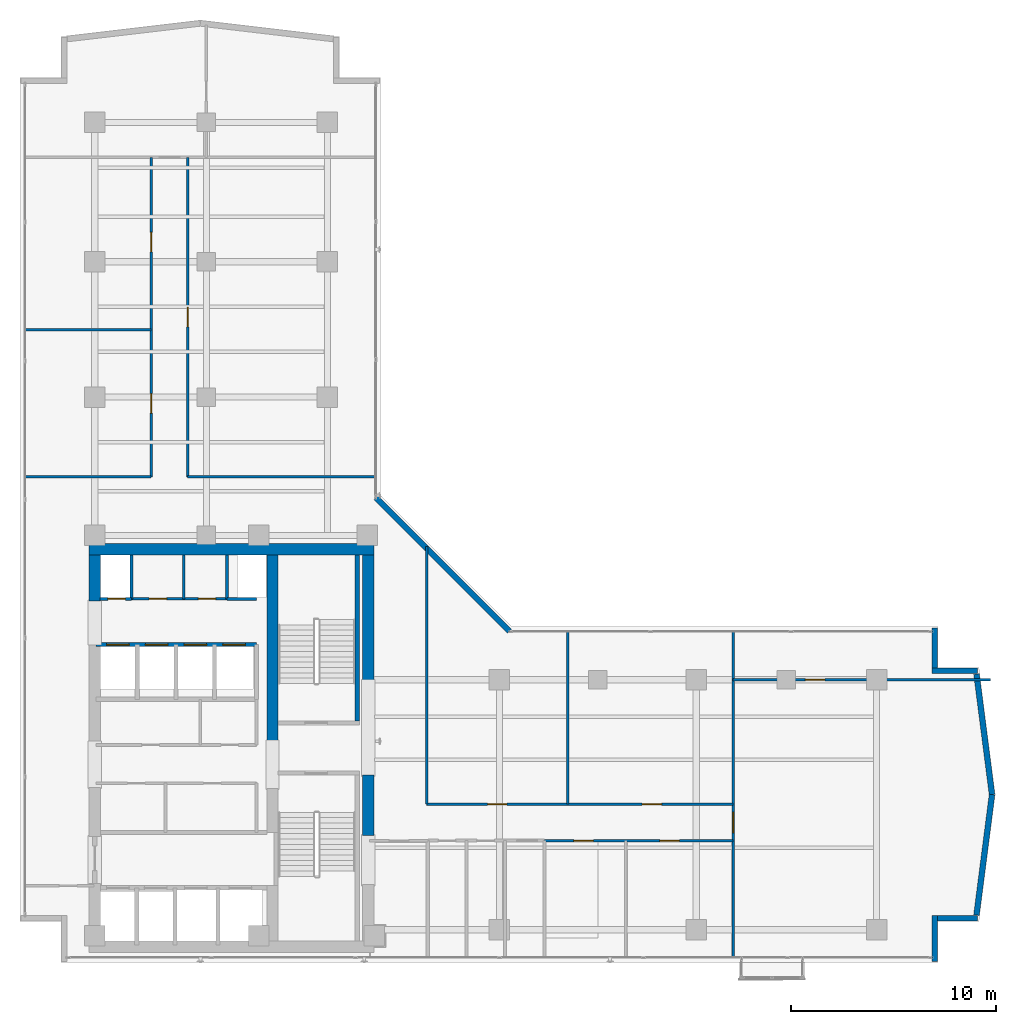
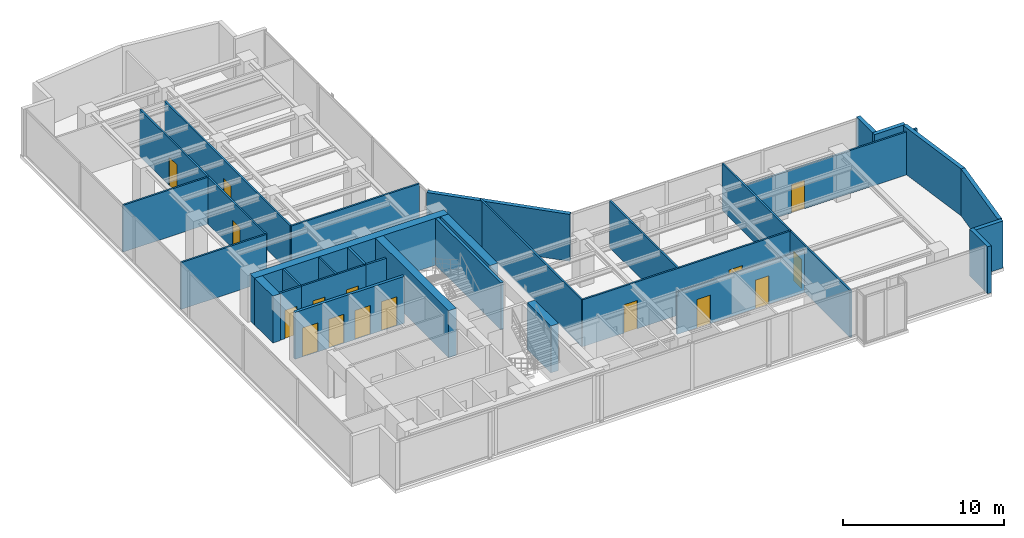
# One storey, part 17 of 23: 31 walls, 16 doors, 16 openings.
"""IFC4 building model written with IfcOpenShell, lengths in metres."""

from ifc_helpers import new_model, si_unit, direction, frame, frame_2d, origin, place, context, subcontext, project, spatial, rectangle, extrude, material, layer, layer_set, type_object, element, fill, save


model = new_model("IFC4")

# Units and contexts
model_context = context("Model", 3, precision=1e-05, world=origin(), true_north=direction((0.0, 1.0)))
body_context = subcontext(model_context, "Body", "Model", "MODEL_VIEW")
ifc_project = project(units=[si_unit("LENGTHUNIT", "METRE"), si_unit("AREAUNIT", "SQUARE_METRE"), si_unit("VOLUMEUNIT", "CUBIC_METRE"), si_unit("PLANEANGLEUNIT", "RADIAN"), si_unit("MASSUNIT", "GRAM", prefix="KILO")], contexts=[model_context])

# Site, building, storey
site_placement = place(None, origin())
site = spatial("IfcSite", under=ifc_project, at=site_placement, CompositionType="ELEMENT")
building_placement = place(site_placement, origin())
building = spatial("IfcBuilding", under=site, at=building_placement, Name="Kolvaren Waterfront Exchange", CompositionType="ELEMENT")
storey_placement = place(building_placement, frame((0.0, 0.0, 242.5)))
storey = spatial("IfcBuildingStorey", under=building, at=storey_placement, Name="L62", CompositionType="ELEMENT", Elevation=242.5)

# Walls
ifc_material_1 = material(Name="Precast concrete C40/50", Category="concrete")
ifc_layer_1 = layer(ifc_material_1, 0.280029296875, Name="Precast concrete C40/50")
ifc_layer_set_1 = layer_set([ifc_layer_1], Name="Precast concrete C40/50")
wall_type_1 = type_object("IfcWallType", Name="ARC-EXT-TERR-280", PredefinedType="SOLIDWALL", material=ifc_layer_set_1)
wall_1_placement = place(storey_placement, frame((48.43994140625, 3.659912109375, 0.0), z_axis=(0.0, 0.0, 1.0), x_axis=(0.0, 1.0, 0.0)))
element("IfcWall", 1, at=wall_1_placement, inside=storey, type_object=wall_type_1, Name="L62 notched corner spandrel pier SE-A", PredefinedType="SOLIDWALL", context=body_context, shape_type="SweptSolid", body=[
    extrude(rectangle(XDim=2.239990234375, YDim=0.280029296875, at=frame_2d((1.1201171875, 0.0))), origin(), (0.0, 0.0, 1.0), 3.56005859375),
])
wall_2_placement = place(storey_placement, frame((48.580078125, 5.760009765625, 0.0), z_axis=(0.0, 0.0, 1.0), x_axis=(1.0, 0.0, 0.0)))
element("IfcWall", 2, at=wall_2_placement, inside=storey, type_object=wall_type_1, Name="L62 notched corner spandrel pier SE-B", PredefinedType="SOLIDWALL", context=body_context, shape_type="SweptSolid", body=[
    extrude(rectangle(XDim=1.9599609375, YDim=0.280029296875, at=frame_2d((0.97998046875, 0.0))), origin(), (0.0, 0.0, 1.0), 3.56005859375),
])
wall_3_placement = place(storey_placement, frame((48.43994140625, 17.965087890625, 0.0), z_axis=(0.0, 0.0, 1.0), x_axis=(0.0, 1.0, 0.0)))
element("IfcWall", 3, at=wall_3_placement, inside=storey, type_object=wall_type_1, Name="L62 notched corner spandrel pier ENE-A", PredefinedType="SOLIDWALL", context=body_context, shape_type="SweptSolid", body=[
    extrude(rectangle(XDim=1.974853515625, YDim=0.280029296875, at=frame_2d((0.9873046875, 0.0))), origin(), (0.0, 0.0, 1.0), 3.56005859375),
])
wall_4_placement = place(storey_placement, frame((48.300048828125, 17.840087890625, 0.0), z_axis=(0.0, 0.0, 1.0), x_axis=(1.0, 0.0, 0.0)))
element("IfcWall", 4, at=wall_4_placement, inside=storey, type_object=wall_type_1, Name="L62 notched corner spandrel pier ENE-B", PredefinedType="SOLIDWALL", context=body_context, shape_type="SweptSolid", body=[
    extrude(rectangle(XDim=2.239990234375, YDim=0.280029296875, at=frame_2d((1.1201171875, 0.0))), origin(), (0.0, 0.0, 1.0), 3.56005859375),
])
wall_5_placement = place(storey_placement, frame((27.68505859375, 19.77490234375, 0.0), z_axis=(0.0, 0.0, 1.0), x_axis=(-0.707106781187, 0.707106781187, 0.0)))
element("IfcWall", 5, at=wall_5_placement, inside=storey, type_object=wall_type_1, Name="L62 notched corner spandrel pier ELBOW", PredefinedType="SOLIDWALL", context=body_context, shape_type="SweptSolid", body=[
    extrude(rectangle(XDim=9.20654296875, YDim=0.280029296875, at=frame_2d((4.603271484375, 0.0))), origin(), (0.0, 0.0, 1.0), 3.56005859375),
])
for number, where, z_axis, x_axis, name in (
    (6, (50.479736328125, 5.91796875, 0.0), (0.0, 0.0, 1.0), (0.127970031595, 0.991778035154, 0.0), "L62 east prow faceted facade wall 1"),
    (7, (51.23876953125, 11.79931640625, 0.0), (0.0, 0.0, 1.0), (-0.127970031595, 0.991778035154, 0.0), "L62 east prow faceted facade wall 2"),
):
    element("IfcWall", number, at=place(storey_placement, frame(where, z_axis=z_axis, x_axis=x_axis)), inside=storey, type_object=wall_type_1, Name=name, PredefinedType="SOLIDWALL", context=body_context, shape_type="SweptSolid", body=[
        extrude(rectangle(XDim=5.931396484375, YDim=0.280029296875, at=frame_2d((2.9658203125, 0.0))), origin(), (0.0, 0.0, 1.0), 3.56005859375),
    ])

# Wall, openings, doors
ifc_material_2 = material(Name="Acoustic gypsum steel stud", Category="steel")
ifc_layer_2 = layer(ifc_material_2, 0.125, Name="Acoustic gypsum steel stud")
ifc_layer_set_2 = layer_set([ifc_layer_2], Name="Acoustic gypsum steel stud")
wall_type_2 = type_object("IfcWallType", Name="ARC-PART-125", PredefinedType="PARTITIONING", material=ifc_layer_set_2)
wall_6_placement = place(storey_placement, frame((9.25, 21.35009765625, 0.0), z_axis=(0.0, 0.0, 1.0), x_axis=(1.0, 0.0, 0.0)))
wall_6 = element("IfcWall", 8, at=wall_6_placement, inside=storey, type_object=wall_type_2, Name="L62 interior wall PW-L62-SVC-HI-S", PredefinedType="PARTITIONING", context=body_context, shape_type="SweptSolid", body=[
    extrude(rectangle(XDim=4.64990234375, YDim=0.125, at=frame_2d((2.324951171875, 0.0))), origin(), (0.0, 0.0, 1.0), 3.56005859375),
])
opening_1_placement = place(wall_6_placement, frame((0.85009765625, 0.0, 0.0)))
opening_1 = element("IfcOpeningElement", 9, at=opening_1_placement, cuts=wall_6, Name="Opening D01", PredefinedType="OPENING", context=body_context, shape_type="SweptSolid", body=[
    extrude(rectangle(XDim=0.85009765625, YDim=2.14990234375, at=frame_2d((0.425048828125, 1.074951171875))), frame((0.0, 0.072509765625, 0.0), z_axis=(0.0, -1.0, 0.0), x_axis=(1.0, 0.0, 0.0)), (0.0, 0.0, 1.0), 0.14501953125),
])
opening_2_placement = place(wall_6_placement, frame((3.25, 0.0, 0.0)))
opening_2 = element("IfcOpeningElement", 10, at=opening_2_placement, cuts=wall_6, Name="Opening D01", PredefinedType="OPENING", context=body_context, shape_type="SweptSolid", body=[
    extrude(rectangle(XDim=0.85009765625, YDim=2.14990234375, at=frame_2d((0.425048828125, 1.074951171875))), frame((0.0, 0.072509765625, 0.0), z_axis=(0.0, -1.0, 0.0), x_axis=(1.0, 0.0, 0.0)), (0.0, 0.0, 1.0), 0.14501953125),
])
ifc_material_3 = material(Name="Oak veneer timber leaf", Category="wood")
door_type_1 = type_object("IfcDoorType", Name="ARC-DR-900", OperationType="NOTDEFINED", PredefinedType="DOOR", material=ifc_material_3)
door_1_placement = place(opening_1_placement, origin())
door_1 = element("IfcDoor", 11, at=door_1_placement, inside=storey, type_object=door_type_1, Name="L62 door DR-L62-SVC-DR-1 (D01)", OperationType="SINGLE_SWING_LEFT", OverallHeight=2.14990234375, OverallWidth=0.85009765625, PredefinedType="DOOR", context=body_context, shape_type="SweptSolid", body=[
    extrude(rectangle(XDim=0.85009765625, YDim=2.14990234375, at=frame_2d((0.425048828125, 1.074951171875))), frame((0.0, 0.02490234375, 0.0), z_axis=(0.0, -1.0, 0.0), x_axis=(1.0, 0.0, 0.0)), (0.0, 0.0, 1.0), 0.050048828125),
])
fill(opening_1, door_1)
door_2_placement = place(opening_2_placement, origin())
door_2 = element("IfcDoor", 12, at=door_2_placement, inside=storey, type_object=door_type_1, Name="L62 door DR-L62-SVC-DR-2 (D01)", OperationType="SINGLE_SWING_RIGHT", OverallHeight=2.14990234375, OverallWidth=0.85009765625, PredefinedType="DOOR", context=body_context, shape_type="SweptSolid", body=[
    extrude(rectangle(XDim=0.85009765625, YDim=2.14990234375, at=frame_2d((0.425048828125, 1.074951171875))), frame((0.0, 0.02490234375, 0.0), z_axis=(0.0, -1.0, 0.0), x_axis=(1.0, 0.0, 0.0)), (0.0, 0.0, 1.0), 0.050048828125),
])
fill(opening_2, door_2)

# Wall
wall_7_placement = place(storey_placement, frame((11.800048828125, 21.35009765625, 0.0), z_axis=(0.0, 0.0, 1.0), x_axis=(0.0, 1.0, 0.0)))
element("IfcWall", 13, at=wall_7_placement, inside=storey, type_object=wall_type_2, Name="L62 interior wall PW-L62-SVC-HI-M", PredefinedType="PARTITIONING", context=body_context, shape_type="SweptSolid", body=[
    extrude(rectangle(XDim=2.1298828125, YDim=0.125, at=frame_2d((1.06494140625, 0.0))), origin(), (0.0, 0.0, 1.0), 3.56005859375),
])

# Wall, openings, doors
wall_8_placement = place(storey_placement, frame((29.39990234375, 9.550048828125, 0.0), z_axis=(0.0, 0.0, 1.0), x_axis=(1.0, 0.0, 0.0)))
wall_8 = element("IfcWall", 14, at=wall_8_placement, inside=storey, type_object=wall_type_2, Name="L62 interior wall PW-L62-ES-CORR", PredefinedType="PARTITIONING", context=body_context, shape_type="SweptSolid", body=[
    extrude(rectangle(XDim=9.2001953125, YDim=0.125, at=frame_2d((4.60009765625, 0.0))), origin(), (0.0, 0.0, 1.0), 3.199951171875),
])
opening_3_placement = place(wall_8_placement, frame((1.431396484375, 0.0, 0.0)))
opening_3 = element("IfcOpeningElement", 15, at=opening_3_placement, cuts=wall_8, Name="Opening D02", PredefinedType="OPENING", context=body_context, shape_type="SweptSolid", body=[
    extrude(rectangle(XDim=0.949951171875, YDim=2.14990234375, at=frame_2d((0.47509765625, 1.074951171875))), frame((0.0, 0.072509765625, 0.0), z_axis=(0.0, -1.0, 0.0), x_axis=(1.0, 0.0, 0.0)), (0.0, 0.0, 1.0), 0.14501953125),
])
opening_4_placement = place(wall_8_placement, frame((5.6298828125, 0.0, 0.0)))
opening_4 = element("IfcOpeningElement", 16, at=opening_4_placement, cuts=wall_8, Name="Opening D02", PredefinedType="OPENING", context=body_context, shape_type="SweptSolid", body=[
    extrude(rectangle(XDim=0.949951171875, YDim=2.14990234375, at=frame_2d((0.47509765625, 1.074951171875))), frame((0.0, 0.072509765625, 0.0), z_axis=(0.0, -1.0, 0.0), x_axis=(1.0, 0.0, 0.0)), (0.0, 0.0, 1.0), 0.14501953125),
])
ifc_material_4 = material(Name="Oak veneer acoustic timber", Category="wood")
door_type_2 = type_object("IfcDoorType", Name="ARC-DR-950", OperationType="NOTDEFINED", PredefinedType="DOOR", material=ifc_material_4)
door_3_placement = place(opening_3_placement, origin())
door_3 = element("IfcDoor", 17, at=door_3_placement, inside=storey, type_object=door_type_2, Name="L62 door DR-L62-ES-D-1 (D02)", OperationType="SINGLE_SWING_RIGHT", OverallHeight=2.14990234375, OverallWidth=0.949951171875, PredefinedType="DOOR", context=body_context, shape_type="SweptSolid", body=[
    extrude(rectangle(XDim=0.949951171875, YDim=2.14990234375, at=frame_2d((0.47509765625, 1.074951171875))), frame((0.0, 0.02490234375, 0.0), z_axis=(0.0, -1.0, 0.0), x_axis=(1.0, 0.0, 0.0)), (0.0, 0.0, 1.0), 0.050048828125),
])
fill(opening_3, door_3)
door_4_placement = place(opening_4_placement, origin())
door_4 = element("IfcDoor", 18, at=door_4_placement, inside=storey, type_object=door_type_2, Name="L62 door DR-L62-ES-D-2 (D02)", OperationType="SINGLE_SWING_LEFT", OverallHeight=2.14990234375, OverallWidth=0.949951171875, PredefinedType="DOOR", context=body_context, shape_type="SweptSolid", body=[
    extrude(rectangle(XDim=0.949951171875, YDim=2.14990234375, at=frame_2d((0.47509765625, 1.074951171875))), frame((0.0, 0.02490234375, 0.0), z_axis=(0.0, -1.0, 0.0), x_axis=(1.0, 0.0, 0.0)), (0.0, 0.0, 1.0), 0.050048828125),
])
fill(opening_4, door_4)

# Wall, opening, door
wall_9_placement = place(storey_placement, frame((38.60009765625, 3.840087890625, 0.0), z_axis=(0.0, 0.0, 1.0), x_axis=(0.0, 1.0, 0.0)))
wall_9 = element("IfcWall", 19, at=wall_9_placement, inside=storey, type_object=wall_type_2, Name="L62 interior wall PW-L62-ETIP-W", PredefinedType="PARTITIONING", context=body_context, shape_type="SweptSolid", body=[
    extrude(rectangle(XDim=15.919921875, YDim=0.125, at=frame_2d((7.9599609375, 0.0))), origin(), (0.0, 0.0, 1.0), 3.56005859375),
])
opening_5_placement = place(wall_9_placement, frame((6.10009765625, 0.0, 0.0)))
opening_5 = element("IfcOpeningElement", 20, at=opening_5_placement, cuts=wall_9, Name="Opening D03", PredefinedType="OPENING", context=body_context, shape_type="SweptSolid", body=[
    extrude(rectangle(XDim=1.0, YDim=2.199951171875, at=frame_2d((0.5, 1.10009765625))), frame((0.0, 0.072509765625, 0.0), z_axis=(0.0, -1.0, 0.0), x_axis=(1.0, 0.0, 0.0)), (0.0, 0.0, 1.0), 0.14501953125),
])
ifc_material_5 = material(Name="Oak veneer accessible timber", Category="wood")
door_type_3 = type_object("IfcDoorType", Name="ARC-DR-1000", OperationType="NOTDEFINED", PredefinedType="DOOR", material=ifc_material_5)
door_5_placement = place(opening_5_placement, origin())
door_5 = element("IfcDoor", 21, at=door_5_placement, inside=storey, type_object=door_type_3, Name="L62 door DR-L62-ETIP1-D (D03)", OperationType="SINGLE_SWING_RIGHT", OverallHeight=2.199951171875, OverallWidth=1.0, PredefinedType="DOOR", context=body_context, shape_type="SweptSolid", body=[
    extrude(rectangle(XDim=1.0, YDim=2.199951171875, at=frame_2d((0.5, 1.10009765625))), frame((0.0, 0.02490234375, 0.0), z_axis=(0.0, -1.0, 0.0), x_axis=(1.0, 0.0, 0.0)), (0.0, 0.0, 1.0), 0.050048828125),
])
fill(opening_5, door_5)

wall_10_placement = place(storey_placement, frame((38.60009765625, 17.39990234375, 0.0), z_axis=(0.0, 0.0, 1.0), x_axis=(1.0, 0.0, 0.0)))
wall_10 = element("IfcWall", 22, at=wall_10_placement, inside=storey, type_object=wall_type_2, Name="L62 interior wall PW-L62-ETIP-MID", PredefinedType="PARTITIONING", context=body_context, shape_type="SweptSolid", body=[
    extrude(rectangle(XDim=12.559814453125, YDim=0.125, at=frame_2d((6.27978515625, 0.0))), origin(), (0.0, 0.0, 1.0), 3.260009765625),
])
opening_6_placement = place(wall_10_placement, frame((3.52490234375, 0.0, 0.0)))
opening_6 = element("IfcOpeningElement", 23, at=opening_6_placement, cuts=wall_10, Name="Opening D02", PredefinedType="OPENING", context=body_context, shape_type="SweptSolid", body=[
    extrude(rectangle(XDim=0.949951171875, YDim=2.14990234375, at=frame_2d((0.47509765625, 1.074951171875))), frame((0.0, 0.072509765625, 0.0), z_axis=(0.0, -1.0, 0.0), x_axis=(1.0, 0.0, 0.0)), (0.0, 0.0, 1.0), 0.14501953125),
])
door_6_placement = place(opening_6_placement, origin())
door_6 = element("IfcDoor", 24, at=door_6_placement, inside=storey, type_object=door_type_2, Name="L62 door DR-L62-ETIP2-D (D02)", OperationType="SINGLE_SWING_LEFT", OverallHeight=2.14990234375, OverallWidth=0.949951171875, PredefinedType="DOOR", context=body_context, shape_type="SweptSolid", body=[
    extrude(rectangle(XDim=0.949951171875, YDim=2.14990234375, at=frame_2d((0.47509765625, 1.074951171875))), frame((0.0, 0.02490234375, 0.0), z_axis=(0.0, -1.0, 0.0), x_axis=(1.0, 0.0, 0.0)), (0.0, 0.0, 1.0), 0.050048828125),
])
fill(opening_6, door_6)

# Wall
wall_11_placement = place(storey_placement, frame((23.64990234375, 11.330078125, 0.0), z_axis=(0.0, 0.0, 1.0), x_axis=(0.0, 1.0, 0.0)))
element("IfcWall", 25, at=wall_11_placement, inside=storey, type_object=wall_type_2, Name="L62 interior wall PW-L62-EN-W0", PredefinedType="PARTITIONING", context=body_context, shape_type="SweptSolid", body=[
    extrude(rectangle(XDim=12.579833984375, YDim=0.125, at=frame_2d((6.2900390625, 0.0))), origin(), (0.0, 0.0, 1.0), 3.56005859375),
])

# Wall, openings, doors
wall_12_placement = place(storey_placement, frame((23.64990234375, 11.330078125, 0.0), z_axis=(0.0, 0.0, 1.0), x_axis=(1.0, 0.0, 0.0)))
wall_12 = element("IfcWall", 26, at=wall_12_placement, inside=storey, type_object=wall_type_2, Name="L62 interior wall PW-L62-EN-CORR", PredefinedType="PARTITIONING", context=body_context, shape_type="SweptSolid", body=[
    extrude(rectangle(XDim=14.9501953125, YDim=0.125, at=frame_2d((7.47509765625, 0.0))), origin(), (0.0, 0.0, 1.0), 3.56005859375),
])
opening_7_placement = place(wall_12_placement, frame((2.965087890625, 0.0, 0.0)))
opening_7 = element("IfcOpeningElement", 27, at=opening_7_placement, cuts=wall_12, Name="Opening D02", PredefinedType="OPENING", context=body_context, shape_type="SweptSolid", body=[
    extrude(rectangle(XDim=0.949951171875, YDim=2.14990234375, at=frame_2d((0.47509765625, 1.074951171875))), frame((0.0, 0.072509765625, 0.0), z_axis=(0.0, -1.0, 0.0), x_axis=(1.0, 0.0, 0.0)), (0.0, 0.0, 1.0), 0.14501953125),
])
opening_8_placement = place(wall_12_placement, frame((10.51025390625, 0.0, 0.0)))
opening_8 = element("IfcOpeningElement", 28, at=opening_8_placement, cuts=wall_12, Name="Opening D02", PredefinedType="OPENING", context=body_context, shape_type="SweptSolid", body=[
    extrude(rectangle(XDim=0.949951171875, YDim=2.14990234375, at=frame_2d((0.47509765625, 1.074951171875))), frame((0.0, 0.072509765625, 0.0), z_axis=(0.0, -1.0, 0.0), x_axis=(1.0, 0.0, 0.0)), (0.0, 0.0, 1.0), 0.14501953125),
])
door_7_placement = place(opening_7_placement, origin())
door_7 = element("IfcDoor", 29, at=door_7_placement, inside=storey, type_object=door_type_2, Name="L62 door DR-L62-EN-D-1 (D02)", OperationType="SINGLE_SWING_RIGHT", OverallHeight=2.14990234375, OverallWidth=0.949951171875, PredefinedType="DOOR", context=body_context, shape_type="SweptSolid", body=[
    extrude(rectangle(XDim=0.949951171875, YDim=2.14990234375, at=frame_2d((0.47509765625, 1.074951171875))), frame((0.0, 0.02490234375, 0.0), z_axis=(0.0, -1.0, 0.0), x_axis=(1.0, 0.0, 0.0)), (0.0, 0.0, 1.0), 0.050048828125),
])
fill(opening_7, door_7)
door_8_placement = place(opening_8_placement, origin())
door_8 = element("IfcDoor", 30, at=door_8_placement, inside=storey, type_object=door_type_2, Name="L62 door DR-L62-EN-D-2 (D02)", OperationType="SINGLE_SWING_LEFT", OverallHeight=2.14990234375, OverallWidth=0.949951171875, PredefinedType="DOOR", context=body_context, shape_type="SweptSolid", body=[
    extrude(rectangle(XDim=0.949951171875, YDim=2.14990234375, at=frame_2d((0.47509765625, 1.074951171875))), frame((0.0, 0.02490234375, 0.0), z_axis=(0.0, -1.0, 0.0), x_axis=(1.0, 0.0, 0.0)), (0.0, 0.0, 1.0), 0.050048828125),
])
fill(opening_8, door_8)

# Walls
wall_13_placement = place(storey_placement, frame((30.530029296875, 11.330078125, 0.0), z_axis=(0.0, 0.0, 1.0), x_axis=(0.0, 1.0, 0.0)))
element("IfcWall", 31, at=wall_13_placement, inside=storey, type_object=wall_type_2, Name="L62 interior wall PW-L62-EN-DIV-1", PredefinedType="PARTITIONING", context=body_context, shape_type="SweptSolid", body=[
    extrude(rectangle(XDim=8.429931640625, YDim=0.125, at=frame_2d((4.21484375, 0.0))), origin(), (0.0, 0.0, 1.0), 3.56005859375),
])
wall_14_placement = place(storey_placement, frame((4.0400390625, 27.300048828125, 0.0), z_axis=(0.0, 0.0, 1.0), x_axis=(1.0, 0.0, 0.0)))
element("IfcWall", 32, at=wall_14_placement, inside=storey, type_object=wall_type_2, Name="L62 interior wall PW-L62-NW-S0", PredefinedType="PARTITIONING", context=body_context, shape_type="SweptSolid", body=[
    extrude(rectangle(XDim=6.159912109375, YDim=0.125, at=frame_2d((3.080078125, 0.0))), origin(), (0.0, 0.0, 1.0), 3.56005859375),
])

# Wall, openings, doors
wall_15_placement = place(storey_placement, frame((10.199951171875, 27.300048828125, 0.0), z_axis=(0.0, 0.0, 1.0), x_axis=(0.0, 1.0, 0.0)))
wall_15 = element("IfcWall", 33, at=wall_15_placement, inside=storey, type_object=wall_type_2, Name="L62 interior wall PW-L62-NW-CORR", PredefinedType="PARTITIONING", context=body_context, shape_type="SweptSolid", body=[
    extrude(rectangle(XDim=15.599853515625, YDim=0.125, at=frame_2d((7.7998046875, 0.0))), origin(), (0.0, 0.0, 1.0), 3.56005859375),
])
opening_9_placement = place(wall_15_placement, frame((3.114990234375, 0.0, 0.0)))
opening_9 = element("IfcOpeningElement", 34, at=opening_9_placement, cuts=wall_15, Name="Opening D02", PredefinedType="OPENING", context=body_context, shape_type="SweptSolid", body=[
    extrude(rectangle(XDim=0.949951171875, YDim=2.14990234375, at=frame_2d((0.47509765625, 1.074951171875))), frame((0.0, 0.072509765625, 0.0), z_axis=(0.0, -1.0, 0.0), x_axis=(1.0, 0.0, 0.0)), (0.0, 0.0, 1.0), 0.14501953125),
])
opening_10_placement = place(wall_15_placement, frame((10.986083984375, 0.0, 0.0)))
opening_10 = element("IfcOpeningElement", 35, at=opening_10_placement, cuts=wall_15, Name="Opening D02", PredefinedType="OPENING", context=body_context, shape_type="SweptSolid", body=[
    extrude(rectangle(XDim=0.949951171875, YDim=2.14990234375, at=frame_2d((0.47509765625, 1.074951171875))), frame((0.0, 0.072509765625, 0.0), z_axis=(0.0, -1.0, 0.0), x_axis=(1.0, 0.0, 0.0)), (0.0, 0.0, 1.0), 0.14501953125),
])
door_9_placement = place(opening_9_placement, origin())
door_9 = element("IfcDoor", 36, at=door_9_placement, inside=storey, type_object=door_type_2, Name="L62 door DR-L62-NW-D-1 (D02)", OperationType="SINGLE_SWING_RIGHT", OverallHeight=2.14990234375, OverallWidth=0.949951171875, PredefinedType="DOOR", context=body_context, shape_type="SweptSolid", body=[
    extrude(rectangle(XDim=0.949951171875, YDim=2.14990234375, at=frame_2d((0.47509765625, 1.074951171875))), frame((0.0, 0.02490234375, 0.0), z_axis=(0.0, -1.0, 0.0), x_axis=(1.0, 0.0, 0.0)), (0.0, 0.0, 1.0), 0.050048828125),
])
fill(opening_9, door_9)
door_10_placement = place(opening_10_placement, origin())
door_10 = element("IfcDoor", 37, at=door_10_placement, inside=storey, type_object=door_type_2, Name="L62 door DR-L62-NW-D-2 (D02)", OperationType="SINGLE_SWING_LEFT", OverallHeight=2.14990234375, OverallWidth=0.949951171875, PredefinedType="DOOR", context=body_context, shape_type="SweptSolid", body=[
    extrude(rectangle(XDim=0.949951171875, YDim=2.14990234375, at=frame_2d((0.47509765625, 1.074951171875))), frame((0.0, 0.02490234375, 0.0), z_axis=(0.0, -1.0, 0.0), x_axis=(1.0, 0.0, 0.0)), (0.0, 0.0, 1.0), 0.050048828125),
])
fill(opening_10, door_10)

# Walls
wall_16_placement = place(storey_placement, frame((4.0400390625, 34.47998046875, 0.0), z_axis=(0.0, 0.0, 1.0), x_axis=(1.0, 0.0, 0.0)))
element("IfcWall", 38, at=wall_16_placement, inside=storey, type_object=wall_type_2, Name="L62 interior wall PW-L62-NW-DIV-1", PredefinedType="PARTITIONING", context=body_context, shape_type="SweptSolid", body=[
    extrude(rectangle(XDim=6.159912109375, YDim=0.125, at=frame_2d((3.080078125, 0.0))), origin(), (0.0, 0.0, 1.0), 3.56005859375),
])
wall_17_placement = place(storey_placement, frame((11.97998046875, 27.300048828125, 0.0), z_axis=(0.0, 0.0, 1.0), x_axis=(1.0, 0.0, 0.0)))
element("IfcWall", 39, at=wall_17_placement, inside=storey, type_object=wall_type_2, Name="L62 interior wall PW-L62-NE-S0", PredefinedType="PARTITIONING", context=body_context, shape_type="SweptSolid", body=[
    extrude(rectangle(XDim=9.179931640625, YDim=0.125, at=frame_2d((4.58984375, 0.0))), origin(), (0.0, 0.0, 1.0), 3.56005859375),
])

# Wall, opening, door
wall_18_placement = place(storey_placement, frame((11.97998046875, 27.300048828125, 0.0), z_axis=(0.0, 0.0, 1.0), x_axis=(0.0, 1.0, 0.0)))
wall_18 = element("IfcWall", 40, at=wall_18_placement, inside=storey, type_object=wall_type_2, Name="L62 interior wall PW-L62-NE-CORR", PredefinedType="PARTITIONING", context=body_context, shape_type="SweptSolid", body=[
    extrude(rectangle(XDim=15.599853515625, YDim=0.125, at=frame_2d((7.7998046875, 0.0))), origin(), (0.0, 0.0, 1.0), 3.56005859375),
])
opening_11_placement = place(wall_18_placement, frame((7.324951171875, 0.0, 0.0)))
opening_11 = element("IfcOpeningElement", 41, at=opening_11_placement, cuts=wall_18, Name="Opening D02", PredefinedType="OPENING", context=body_context, shape_type="SweptSolid", body=[
    extrude(rectangle(XDim=0.949951171875, YDim=2.14990234375, at=frame_2d((0.47509765625, 1.074951171875))), frame((0.0, 0.072509765625, 0.0), z_axis=(0.0, -1.0, 0.0), x_axis=(1.0, 0.0, 0.0)), (0.0, 0.0, 1.0), 0.14501953125),
])
door_11_placement = place(opening_11_placement, origin())
door_11 = element("IfcDoor", 42, at=door_11_placement, inside=storey, type_object=door_type_2, Name="L62 door DR-L62-NE-D-1 (D02)", OperationType="SINGLE_SWING_RIGHT", OverallHeight=2.14990234375, OverallWidth=0.949951171875, PredefinedType="DOOR", context=body_context, shape_type="SweptSolid", body=[
    extrude(rectangle(XDim=0.949951171875, YDim=2.14990234375, at=frame_2d((0.47509765625, 1.074951171875))), frame((0.0, 0.02490234375, 0.0), z_axis=(0.0, -1.0, 0.0), x_axis=(1.0, 0.0, 0.0)), (0.0, 0.0, 1.0), 0.050048828125),
])
fill(opening_11, door_11)

# Walls
ifc_material_6 = material(Name="Gypsum fireboard steel stud", Category="steel")
ifc_layer_3 = layer(ifc_material_6, 0.14990234375, Name="Gypsum fireboard steel stud")
ifc_layer_set_3 = layer_set([ifc_layer_3], Name="Gypsum fireboard steel stud")
wall_type_3 = type_object("IfcWallType", Name="ARC-PART-150", PredefinedType="PARTITIONING", material=ifc_layer_set_3)
for number, where, z_axis, x_axis, name in (
    (43, (9.25, 21.35009765625, 0.0), (0.0, 0.0, 1.0), (0.0, 1.0, 0.0), "L62 interior wall PW-L62-SVC-R1"),
    (44, (13.89990234375, 21.35009765625, 0.0), (0.0, 0.0, 1.0), (0.0, 1.0, 0.0), "L62 interior wall PW-L62-SVC-R2"),
):
    element("IfcWall", number, at=place(storey_placement, frame(where, z_axis=z_axis, x_axis=x_axis)), inside=storey, type_object=wall_type_3, Name=name, PredefinedType="PARTITIONING", context=body_context, shape_type="SweptSolid", body=[
        extrude(rectangle(XDim=2.1298828125, YDim=0.14990234375, at=frame_2d((1.06494140625, 0.0))), origin(), (0.0, 0.0, 1.0), 3.56005859375),
    ])

# Wall, opening, door
wall_19_placement = place(storey_placement, frame((7.699951171875, 21.35009765625, 0.0), z_axis=(0.0, 0.0, 1.0), x_axis=(1.0, 0.0, 0.0)))
wall_19 = element("IfcWall", 45, at=wall_19_placement, inside=storey, type_object=wall_type_3, Name="L62 interior wall PW-L62-SVC-RE-S", PredefinedType="PARTITIONING", context=body_context, shape_type="SweptSolid", body=[
    extrude(rectangle(XDim=1.550048828125, YDim=0.14990234375, at=frame_2d((0.77490234375, 0.0))), origin(), (0.0, 0.0, 1.0), 3.56005859375),
])
opening_12_placement = place(wall_19_placement, frame((0.389892578125, 0.0, 0.0)))
opening_12 = element("IfcOpeningElement", 46, at=opening_12_placement, cuts=wall_19, Name="Opening FD1", PredefinedType="OPENING", context=body_context, shape_type="SweptSolid", body=[
    extrude(rectangle(XDim=0.85009765625, YDim=2.14990234375, at=frame_2d((0.425048828125, 1.074951171875))), frame((0.0, 0.0849609375, 0.0), z_axis=(0.0, -1.0, 0.0), x_axis=(1.0, 0.0, 0.0)), (0.0, 0.0, 1.0), 0.169921875),
])
ifc_material_7 = material(Name="Pressed steel fire leaf", Category="steel")
door_type_4 = type_object("IfcDoorType", Name="ARC-FD-900", OperationType="NOTDEFINED", PredefinedType="DOOR", material=ifc_material_7)
door_12_placement = place(opening_12_placement, origin())
door_12 = element("IfcDoor", 47, at=door_12_placement, inside=storey, type_object=door_type_4, Name="L62 door DR-L62-RISER-E-DR (FD1)", OperationType="SINGLE_SWING_RIGHT", OverallHeight=2.14990234375, OverallWidth=0.85009765625, PredefinedType="DOOR", context=body_context, shape_type="SweptSolid", body=[
    extrude(rectangle(XDim=0.85009765625, YDim=2.14990234375, at=frame_2d((0.425048828125, 1.074951171875))), frame((0.0, 0.02490234375, 0.0), z_axis=(0.0, -1.0, 0.0), x_axis=(1.0, 0.0, 0.0)), (0.0, 0.0, 1.0), 0.050048828125),
])
fill(opening_12, door_12)

# Walls
wall_20_placement = place(storey_placement, frame((13.89990234375, 21.35009765625, 0.0), z_axis=(0.0, 0.0, 1.0), x_axis=(1.0, 0.0, 0.0)))
element("IfcWall", 48, at=wall_20_placement, inside=storey, type_object=wall_type_3, Name="L62 interior wall PW-L62-SVC-RP-S", PredefinedType="PARTITIONING", context=body_context, shape_type="SweptSolid", body=[
    extrude(rectangle(XDim=1.4501953125, YDim=0.14990234375, at=frame_2d((0.72509765625, 0.0))), origin(), (0.0, 0.0, 1.0), 3.56005859375),
])
ifc_material_8 = material(Name="Concrete C40/50", Category="concrete")
ifc_layer_4 = layer(ifc_material_8, 0.199951171875, Name="Concrete C40/50")
ifc_layer_set_4 = layer_set([ifc_layer_4], Name="Concrete C40/50")
wall_type_4 = type_object("IfcWallType", Name="ARC-SHAFT-200", PredefinedType="PARTITIONING", material=ifc_layer_set_4)
wall_21_placement = place(storey_placement, frame((20.260009765625, 15.39990234375, 0.0), z_axis=(0.0, 0.0, 1.0), x_axis=(0.0, 1.0, 0.0)))
element("IfcWall", 49, at=wall_21_placement, inside=storey, type_object=wall_type_4, Name="L62 structural stairwell wall PW-L62-ST2-E", PredefinedType="SHEAR", context=body_context, shape_type="SweptSolid", body=[
    extrude(rectangle(XDim=8.090087890625, YDim=0.199951171875, at=frame_2d((4.044921875, 0.0))), origin(), (0.0, 0.0, 1.0), 3.56005859375),
])

# Wall, openings, doors
wall_22_placement = place(storey_placement, frame((7.5, 19.1201171875, 0.0), z_axis=(0.0, 0.0, 1.0), x_axis=(1.0, 0.0, 0.0)))
wall_22 = element("IfcWall", 50, at=wall_22_placement, inside=storey, type_object=wall_type_4, Name="L62 interior wall PW-L62-PH-N", PredefinedType="PARTITIONING", context=body_context, shape_type="SweptSolid", body=[
    extrude(rectangle(XDim=7.85009765625, YDim=0.199951171875, at=frame_2d((3.925048828125, 0.0))), origin(), (0.0, 0.0, 1.0), 3.56005859375),
])
opening_13_placement = place(wall_22_placement, frame((0.530029296875, 0.0, 0.0)))
opening_13 = element("IfcOpeningElement", 51, at=opening_13_placement, cuts=wall_22, Name="Opening LD2", PredefinedType="OPENING", context=body_context, shape_type="SweptSolid", body=[
    extrude(rectangle(XDim=1.10009765625, YDim=2.199951171875, at=frame_2d((0.550048828125, 1.10009765625))), frame((0.0, 0.10986328125, 0.0), z_axis=(0.0, -1.0, 0.0), x_axis=(1.0, 0.0, 0.0)), (0.0, 0.0, 1.0), 0.219970703125),
])
opening_14_placement = place(wall_22_placement, frame((2.419921875, 0.0, 0.0)))
opening_14 = element("IfcOpeningElement", 52, at=opening_14_placement, cuts=wall_22, Name="Opening LD2", PredefinedType="OPENING", context=body_context, shape_type="SweptSolid", body=[
    extrude(rectangle(XDim=1.10009765625, YDim=2.199951171875, at=frame_2d((0.550048828125, 1.10009765625))), frame((0.0, 0.10986328125, 0.0), z_axis=(0.0, -1.0, 0.0), x_axis=(1.0, 0.0, 0.0)), (0.0, 0.0, 1.0), 0.219970703125),
])
opening_15_placement = place(wall_22_placement, frame((4.31005859375, 0.0, 0.0)))
opening_15 = element("IfcOpeningElement", 53, at=opening_15_placement, cuts=wall_22, Name="Opening LD2", PredefinedType="OPENING", context=body_context, shape_type="SweptSolid", body=[
    extrude(rectangle(XDim=1.10009765625, YDim=2.199951171875, at=frame_2d((0.550048828125, 1.10009765625))), frame((0.0, 0.10986328125, 0.0), z_axis=(0.0, -1.0, 0.0), x_axis=(1.0, 0.0, 0.0)), (0.0, 0.0, 1.0), 0.219970703125),
])
opening_16_placement = place(wall_22_placement, frame((6.199951171875, 0.0, 0.0)))
opening_16 = element("IfcOpeningElement", 54, at=opening_16_placement, cuts=wall_22, Name="Opening LD2", PredefinedType="OPENING", context=body_context, shape_type="SweptSolid", body=[
    extrude(rectangle(XDim=1.10009765625, YDim=2.199951171875, at=frame_2d((0.550048828125, 1.10009765625))), frame((0.0, 0.10986328125, 0.0), z_axis=(0.0, -1.0, 0.0), x_axis=(1.0, 0.0, 0.0)), (0.0, 0.0, 1.0), 0.219970703125),
])
ifc_material_9 = material(Name="Brushed bronze sliding landing door", Category="aluminium")
door_type_5 = type_object("IfcDoorType", Name="ARC-LD-PAX", OperationType="SLIDING_TO_LEFT", PredefinedType="DOOR", material=ifc_material_9)
door_13_placement = place(opening_13_placement, origin())
door_13 = element("IfcDoor", 55, at=door_13_placement, inside=storey, type_object=door_type_5, Name="L62 door LD-L62-PH1 (LD2)", OperationType="SLIDING_TO_LEFT", OverallHeight=2.199951171875, OverallWidth=1.10009765625, PredefinedType="DOOR", context=body_context, shape_type="SweptSolid", body=[
    extrude(rectangle(XDim=1.10009765625, YDim=2.199951171875, at=frame_2d((0.550048828125, 1.10009765625))), frame((0.0, 0.02490234375, 0.0), z_axis=(0.0, -1.0, 0.0), x_axis=(1.0, 0.0, 0.0)), (0.0, 0.0, 1.0), 0.050048828125),
])
fill(opening_13, door_13)
door_14_placement = place(opening_14_placement, origin())
door_14 = element("IfcDoor", 56, at=door_14_placement, inside=storey, type_object=door_type_5, Name="L62 door LD-L62-PH2 (LD2)", OperationType="SLIDING_TO_LEFT", OverallHeight=2.199951171875, OverallWidth=1.10009765625, PredefinedType="DOOR", context=body_context, shape_type="SweptSolid", body=[
    extrude(rectangle(XDim=1.10009765625, YDim=2.199951171875, at=frame_2d((0.550048828125, 1.10009765625))), frame((0.0, 0.02490234375, 0.0), z_axis=(0.0, -1.0, 0.0), x_axis=(1.0, 0.0, 0.0)), (0.0, 0.0, 1.0), 0.050048828125),
])
fill(opening_14, door_14)
door_15_placement = place(opening_15_placement, origin())
door_15 = element("IfcDoor", 57, at=door_15_placement, inside=storey, type_object=door_type_5, Name="L62 door LD-L62-PH3 (LD2)", OperationType="SLIDING_TO_LEFT", OverallHeight=2.199951171875, OverallWidth=1.10009765625, PredefinedType="DOOR", context=body_context, shape_type="SweptSolid", body=[
    extrude(rectangle(XDim=1.10009765625, YDim=2.199951171875, at=frame_2d((0.550048828125, 1.10009765625))), frame((0.0, 0.02490234375, 0.0), z_axis=(0.0, -1.0, 0.0), x_axis=(1.0, 0.0, 0.0)), (0.0, 0.0, 1.0), 0.050048828125),
])
fill(opening_15, door_15)
door_16_placement = place(opening_16_placement, origin())
door_16 = element("IfcDoor", 58, at=door_16_placement, inside=storey, type_object=door_type_5, Name="L62 door LD-L62-PH4 (LD2)", OperationType="SLIDING_TO_LEFT", OverallHeight=2.199951171875, OverallWidth=1.10009765625, PredefinedType="DOOR", context=body_context, shape_type="SweptSolid", body=[
    extrude(rectangle(XDim=1.10009765625, YDim=2.199951171875, at=frame_2d((0.550048828125, 1.10009765625))), frame((0.0, 0.02490234375, 0.0), z_axis=(0.0, -1.0, 0.0), x_axis=(1.0, 0.0, 0.0)), (0.0, 0.0, 1.0), 0.050048828125),
])
fill(opening_16, door_16)

# Walls
ifc_material_10 = material(Name="Concrete C50/60", Category="concrete")
ifc_layer_5 = layer(ifc_material_10, 0.550048828125, Name="Concrete C50/60")
ifc_layer_set_5 = layer_set([ifc_layer_5], Name="Concrete C50/60")
wall_type_5 = type_object("IfcWallType", Name="STR-CWALL-550", PredefinedType="SHEAR", material=ifc_layer_set_5)
wall_23_placement = place(storey_placement, frame((7.175048828125, 23.77490234375, 0.0), z_axis=(0.0, 0.0, 1.0), x_axis=(1.0, 0.0, 0.0)))
element("IfcWall", 59, at=wall_23_placement, inside=storey, type_object=wall_type_5, Name="L62 rear-core shear wall N", PredefinedType="SHEAR", context=body_context, shape_type="SweptSolid", body=[
    extrude(rectangle(XDim=13.89990234375, YDim=0.550048828125, at=frame_2d((6.949951171875, 0.0))), origin(), (0.0, 0.0, 1.0), 3.56005859375),
])
wall_24_placement = place(storey_placement, frame((7.449951171875, 21.239990234375, 0.0), z_axis=(0.0, 0.0, 1.0), x_axis=(0.0, 1.0, 0.0)))
element("IfcWall", 60, at=wall_24_placement, inside=storey, type_object=wall_type_5, Name="L62 rear-core shear wall W3", PredefinedType="SHEAR", context=body_context, shape_type="SweptSolid", body=[
    extrude(rectangle(XDim=2.260009765625, YDim=0.550048828125, at=frame_2d((1.1298828125, 0.0))), origin(), (0.0, 0.0, 1.0), 3.56005859375),
])
wall_25_placement = place(storey_placement, frame((20.800048828125, 9.800048828125, 0.0), z_axis=(0.0, 0.0, 1.0), x_axis=(0.0, 1.0, 0.0)))
element("IfcWall", 61, at=wall_25_placement, inside=storey, type_object=wall_type_5, Name="L62 rear-core shear wall E2", PredefinedType="SHEAR", context=body_context, shape_type="SweptSolid", body=[
    extrude(rectangle(XDim=2.949951171875, YDim=0.550048828125, at=frame_2d((1.47509765625, 0.0))), origin(), (0.0, 0.0, 1.0), 3.56005859375),
])
wall_26_placement = place(storey_placement, frame((20.800048828125, 17.35009765625, 0.0), z_axis=(0.0, 0.0, 1.0), x_axis=(0.0, 1.0, 0.0)))
element("IfcWall", 62, at=wall_26_placement, inside=storey, type_object=wall_type_5, Name="L62 rear-core shear wall E3", PredefinedType="SHEAR", context=body_context, shape_type="SweptSolid", body=[
    extrude(rectangle(XDim=6.14990234375, YDim=0.550048828125, at=frame_2d((3.074951171875, 0.0))), origin(), (0.0, 0.0, 1.0), 3.56005859375),
])
wall_27_placement = place(storey_placement, frame((16.125, 14.39990234375, 0.0), z_axis=(0.0, 0.0, 1.0), x_axis=(0.0, 1.0, 0.0)))
element("IfcWall", 63, at=wall_27_placement, inside=storey, type_object=wall_type_5, Name="L62 rear-core shear wall M3", PredefinedType="SHEAR", context=body_context, shape_type="SweptSolid", body=[
    extrude(rectangle(XDim=9.10009765625, YDim=0.550048828125, at=frame_2d((4.550048828125, 0.0))), origin(), (0.0, 0.0, 1.0), 3.56005859375),
])

save(model, "model.ifc")
